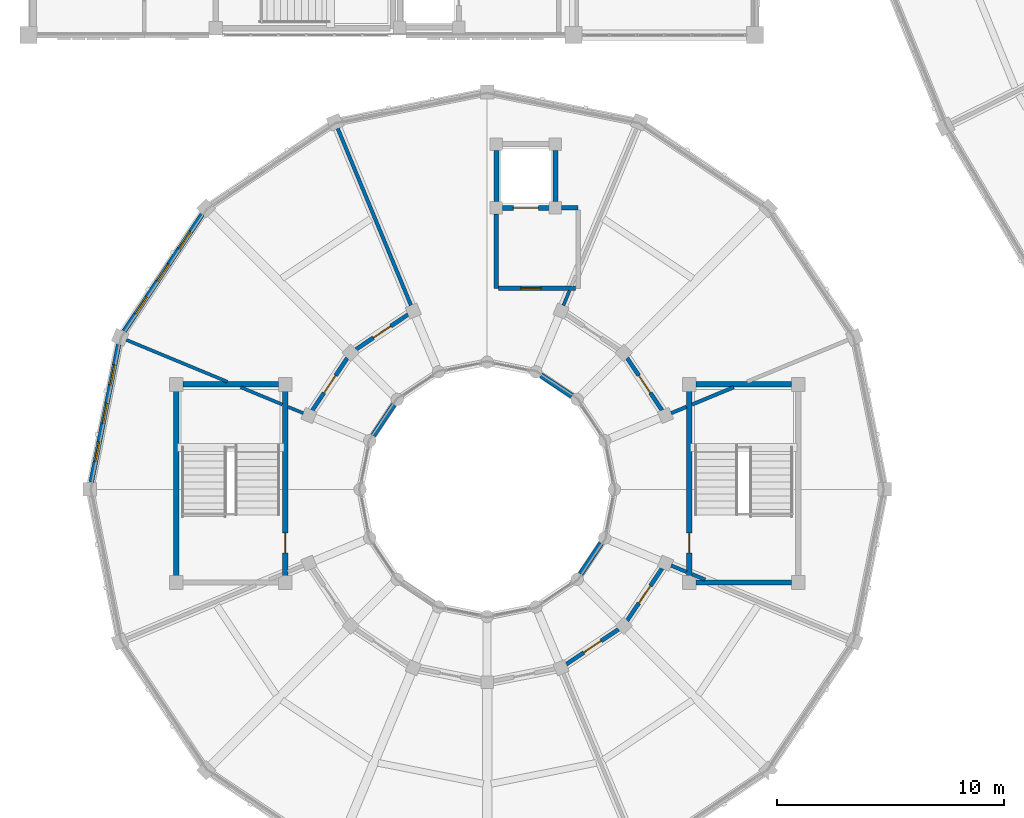
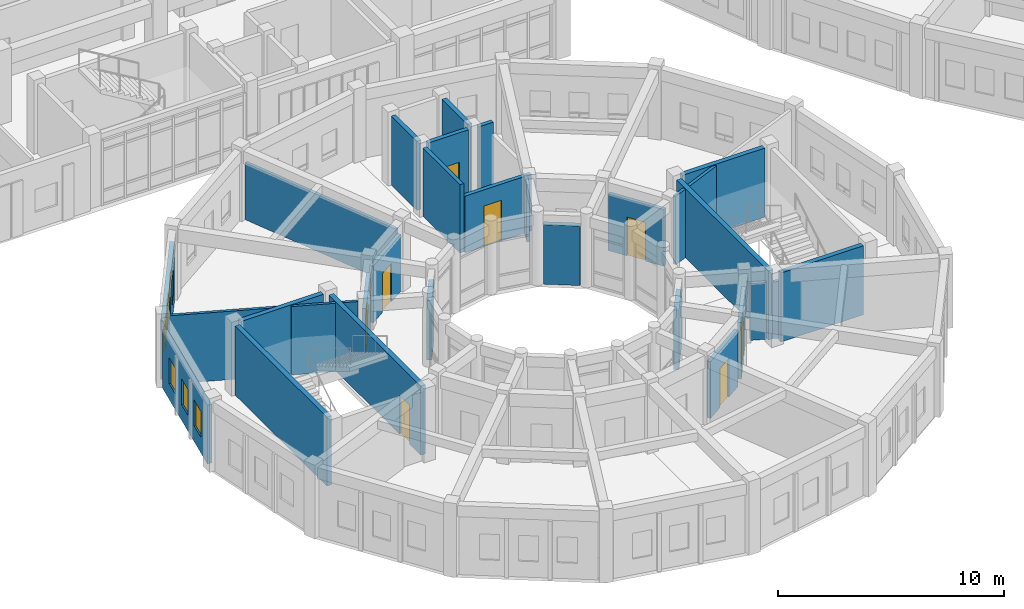
# One storey, part 117 of 159: 31 walls, 9 doors, 6 windows, 15 openings.
"""IFC4 building model written with IfcOpenShell, lengths in metres."""

from ifc_helpers import new_model, si_unit, direction, frame, frame_2d, origin, place, context, subcontext, project, spatial, rectangle, extrude, material, layer, layer_set, type_object, element, fill, save


model = new_model("IFC4")

# Units and contexts
model_context = context("Model", 3, precision=1e-05, world=origin(), true_north=direction((0.0, 1.0)))
body_context = subcontext(model_context, "Body", "Model", "MODEL_VIEW")
ifc_project = project(units=[si_unit("LENGTHUNIT", "METRE"), si_unit("AREAUNIT", "SQUARE_METRE"), si_unit("VOLUMEUNIT", "CUBIC_METRE"), si_unit("PLANEANGLEUNIT", "RADIAN"), si_unit("MASSUNIT", "GRAM", prefix="KILO")], contexts=[model_context])

# Site, building, storey
site_placement = place(None, origin())
site = spatial("IfcSite", under=ifc_project, at=site_placement, CompositionType="ELEMENT")
building_placement = place(site_placement, origin())
building = spatial("IfcBuilding", under=site, at=building_placement, Name="Celadon Cloister-Ring School", CompositionType="ELEMENT")
storey_placement = place(building_placement, frame((0.0, 0.0, 4.5)))
storey = spatial("IfcBuildingStorey", under=building, at=storey_placement, Name="L01", CompositionType="ELEMENT", Elevation=4.5)

# Walls
ifc_material_1 = material(Name="Rendered concrete blockwork", Category="masonry")
ifc_layer_1 = layer(ifc_material_1, 0.239990234375)
ifc_layer_set_1 = layer_set([ifc_layer_1], Name="Rendered concrete blockwork")
wall_type_1 = type_object("IfcWallType", Name="WT-EX3", PredefinedType="SOLIDWALL", material=ifc_layer_set_1)
for number, where, z_axis, x_axis, name in (
    (1, (23.929931640625, 24.114013671875, 0.0), (0.0, 0.0, 1.0), (-0.83165874011, 0.555287078904, 0.0), "Exterior Wall 0314"),
    (2, (16.0859375, 23.72998046875, 0.0), (0.0, 0.0, 1.0), (-0.555287078904, -0.83165874011, 0.0), "Exterior Wall 0319"),
    (3, (24.31396484375, 16.27001953125, 0.0), (0.0, 0.0, 1.0), (0.555287078904, 0.83165874011, 0.0), "Exterior Wall 0329"),
):
    element("IfcWall", number, at=place(storey_placement, frame(where, z_axis=z_axis, x_axis=x_axis)), inside=storey, type_object=wall_type_1, Name=name, PredefinedType="SOLIDWALL", context=body_context, shape_type="SweptSolid", body=[
        extrude(rectangle(XDim=1.631591796875, YDim=0.239990234375, at=frame_2d((0.81591796875, 0.0))), origin(), (0.0, 0.0, 1.0), 3.221923828125),
    ])

# Wall, openings, windows
ifc_material_2 = material(Name="Perforated terracotta clay brick masonry", Category="masonry")
ifc_layer_2 = layer(ifc_material_2, 0.219970703125)
ifc_layer_set_2 = layer_set([ifc_layer_2], Name="Perforated terracotta clay brick masonry")
wall_type_2 = type_object("IfcWallType", Name="WT-EX4", PredefinedType="SOLIDWALL", material=ifc_layer_set_2)
wall_1_placement = place(storey_placement, frame((4.215087890625, 26.970947265625, 0.0), z_axis=(0.0, 0.0, 1.0), x_axis=(0.555658736667, 0.831410469242, 0.0)))
wall_1 = element("IfcWall", 4, at=wall_1_placement, inside=storey, type_object=wall_type_2, Name="Exterior Wall 0318", PredefinedType="SOLIDWALL", context=body_context, shape_type="SweptSolid", body=[
    extrude(rectangle(XDim=6.169189453125, YDim=0.219970703125, at=frame_2d((3.08447265625, 0.0))), origin(), (0.0, 0.0, 1.0), 3.172119140625),
])
opening_1_placement = place(wall_1_placement, frame((0.906982421875, 0.0, 0.85009765625)))
opening_1 = element("IfcOpeningElement", 5, at=opening_1_placement, cuts=wall_1, Name="Opening WN-21", PredefinedType="OPENING", context=body_context, shape_type="SweptSolid", body=[
    extrude(rectangle(XDim=0.89990234375, YDim=1.39990234375, at=frame_2d((0.449951171875, 0.699951171875))), frame((0.0, 0.1201171875, 0.0), z_axis=(0.0, -1.0, 0.0), x_axis=(1.0, 0.0, 0.0)), (0.0, 0.0, 1.0), 0.239990234375),
])
opening_2_placement = place(wall_1_placement, frame((2.635009765625, 0.0, 0.85009765625)))
opening_2 = element("IfcOpeningElement", 6, at=opening_2_placement, cuts=wall_1, Name="Opening WN-21", PredefinedType="OPENING", context=body_context, shape_type="SweptSolid", body=[
    extrude(rectangle(XDim=0.89990234375, YDim=1.39990234375, at=frame_2d((0.449951171875, 0.699951171875))), frame((0.0, 0.1201171875, 0.0), z_axis=(0.0, -1.0, 0.0), x_axis=(1.0, 0.0, 0.0)), (0.0, 0.0, 1.0), 0.239990234375),
])
opening_3_placement = place(wall_1_placement, frame((4.362060546875, 0.0, 0.85009765625)))
opening_3 = element("IfcOpeningElement", 7, at=opening_3_placement, cuts=wall_1, Name="Opening WN-21", PredefinedType="OPENING", context=body_context, shape_type="SweptSolid", body=[
    extrude(rectangle(XDim=0.89990234375, YDim=1.39990234375, at=frame_2d((0.449951171875, 0.699951171875))), frame((0.0, 0.1201171875, 0.0), z_axis=(0.0, -1.0, 0.0), x_axis=(1.0, 0.0, 0.0)), (0.0, 0.0, 1.0), 0.239990234375),
])
ifc_material_3 = material(Name="Tempered laminated insulating glass", Category="glass")
window_type = type_object("IfcWindowType", Name="WN-21", PartitioningType="SINGLE_PANEL", PredefinedType="WINDOW", material=ifc_material_3)
window_1_placement = place(opening_1_placement, origin())
window_1 = element("IfcWindow", 8, at=window_1_placement, inside=storey, type_object=window_type, Name="Window 0821", OverallHeight=1.39990234375, OverallWidth=0.89990234375, PartitioningType="SINGLE_PANEL", PredefinedType="WINDOW", context=body_context, shape_type="SweptSolid", body=[
    extrude(rectangle(XDim=0.89990234375, YDim=1.39990234375, at=frame_2d((0.449951171875, 0.699951171875))), frame((0.0, 0.030029296875, 0.0), z_axis=(0.0, -1.0, 0.0), x_axis=(1.0, 0.0, 0.0)), (0.0, 0.0, 1.0), 0.06005859375),
])
fill(opening_1, window_1)
window_2_placement = place(opening_2_placement, origin())
window_2 = element("IfcWindow", 9, at=window_2_placement, inside=storey, type_object=window_type, Name="Window 0822", OverallHeight=1.39990234375, OverallWidth=0.89990234375, PartitioningType="SINGLE_PANEL", PredefinedType="WINDOW", context=body_context, shape_type="SweptSolid", body=[
    extrude(rectangle(XDim=0.89990234375, YDim=1.39990234375, at=frame_2d((0.449951171875, 0.699951171875))), frame((0.0, 0.030029296875, 0.0), z_axis=(0.0, -1.0, 0.0), x_axis=(1.0, 0.0, 0.0)), (0.0, 0.0, 1.0), 0.06005859375),
])
fill(opening_2, window_2)
window_3_placement = place(opening_3_placement, origin())
window_3 = element("IfcWindow", 10, at=window_3_placement, inside=storey, type_object=window_type, Name="Window 0823", OverallHeight=1.39990234375, OverallWidth=0.89990234375, PartitioningType="SINGLE_PANEL", PredefinedType="WINDOW", context=body_context, shape_type="SweptSolid", body=[
    extrude(rectangle(XDim=0.89990234375, YDim=1.39990234375, at=frame_2d((0.449951171875, 0.699951171875))), frame((0.0, 0.030029296875, 0.0), z_axis=(0.0, -1.0, 0.0), x_axis=(1.0, 0.0, 0.0)), (0.0, 0.0, 1.0), 0.06005859375),
])
fill(opening_3, window_3)

wall_2_placement = place(storey_placement, frame((2.763916015625, 20.322998046875, 0.0), z_axis=(0.0, 0.0, 1.0), x_axis=(0.195164813773, 0.980770460131, 0.0)))
wall_2 = element("IfcWall", 11, at=wall_2_placement, inside=storey, type_object=wall_type_2, Name="Exterior Wall 0320", PredefinedType="SOLIDWALL", context=body_context, shape_type="SweptSolid", body=[
    extrude(rectangle(XDim=6.169677734375, YDim=0.219970703125, at=frame_2d((3.0849609375, 0.0))), origin(), (0.0, 0.0, 1.0), 3.172119140625),
])
opening_4_placement = place(wall_2_placement, frame((0.906982421875, 0.0, 0.85009765625)))
opening_4 = element("IfcOpeningElement", 12, at=opening_4_placement, cuts=wall_2, Name="Opening WN-21", PredefinedType="OPENING", context=body_context, shape_type="SweptSolid", body=[
    extrude(rectangle(XDim=0.89990234375, YDim=1.39990234375, at=frame_2d((0.449951171875, 0.699951171875))), frame((0.0, 0.1201171875, 0.0), z_axis=(0.0, -1.0, 0.0), x_axis=(1.0, 0.0, 0.0)), (0.0, 0.0, 1.0), 0.239990234375),
])
opening_5_placement = place(wall_2_placement, frame((2.635009765625, 0.0, 0.85009765625)))
opening_5 = element("IfcOpeningElement", 13, at=opening_5_placement, cuts=wall_2, Name="Opening WN-21", PredefinedType="OPENING", context=body_context, shape_type="SweptSolid", body=[
    extrude(rectangle(XDim=0.89990234375, YDim=1.39990234375, at=frame_2d((0.449951171875, 0.699951171875))), frame((0.0, 0.1201171875, 0.0), z_axis=(0.0, -1.0, 0.0), x_axis=(1.0, 0.0, 0.0)), (0.0, 0.0, 1.0), 0.239990234375),
])
opening_6_placement = place(wall_2_placement, frame((4.362060546875, 0.0, 0.85009765625)))
opening_6 = element("IfcOpeningElement", 14, at=opening_6_placement, cuts=wall_2, Name="Opening WN-21", PredefinedType="OPENING", context=body_context, shape_type="SweptSolid", body=[
    extrude(rectangle(XDim=0.89990234375, YDim=1.39990234375, at=frame_2d((0.449951171875, 0.699951171875))), frame((0.0, 0.1201171875, 0.0), z_axis=(0.0, -1.0, 0.0), x_axis=(1.0, 0.0, 0.0)), (0.0, 0.0, 1.0), 0.239990234375),
])
window_4_placement = place(opening_4_placement, origin())
window_4 = element("IfcWindow", 15, at=window_4_placement, inside=storey, type_object=window_type, Name="Window 0824", OverallHeight=1.39990234375, OverallWidth=0.89990234375, PartitioningType="SINGLE_PANEL", PredefinedType="WINDOW", context=body_context, shape_type="SweptSolid", body=[
    extrude(rectangle(XDim=0.89990234375, YDim=1.39990234375, at=frame_2d((0.449951171875, 0.699951171875))), frame((0.0, 0.030029296875, 0.0), z_axis=(0.0, -1.0, 0.0), x_axis=(1.0, 0.0, 0.0)), (0.0, 0.0, 1.0), 0.06005859375),
])
fill(opening_4, window_4)
window_5_placement = place(opening_5_placement, origin())
window_5 = element("IfcWindow", 16, at=window_5_placement, inside=storey, type_object=window_type, Name="Window 0825", OverallHeight=1.39990234375, OverallWidth=0.89990234375, PartitioningType="SINGLE_PANEL", PredefinedType="WINDOW", context=body_context, shape_type="SweptSolid", body=[
    extrude(rectangle(XDim=0.89990234375, YDim=1.39990234375, at=frame_2d((0.449951171875, 0.699951171875))), frame((0.0, 0.030029296875, 0.0), z_axis=(0.0, -1.0, 0.0), x_axis=(1.0, 0.0, 0.0)), (0.0, 0.0, 1.0), 0.06005859375),
])
fill(opening_5, window_5)
window_6_placement = place(opening_6_placement, origin())
window_6 = element("IfcWindow", 17, at=window_6_placement, inside=storey, type_object=window_type, Name="Window 0826", OverallHeight=1.39990234375, OverallWidth=0.89990234375, PartitioningType="SINGLE_PANEL", PredefinedType="WINDOW", context=body_context, shape_type="SweptSolid", body=[
    extrude(rectangle(XDim=0.89990234375, YDim=1.39990234375, at=frame_2d((0.449951171875, 0.699951171875))), frame((0.0, 0.030029296875, 0.0), z_axis=(0.0, -1.0, 0.0), x_axis=(1.0, 0.0, 0.0)), (0.0, 0.0, 1.0), 0.06005859375),
])
fill(opening_6, window_6)

# Walls
ifc_material_4 = material(Name="Plastered hollow concrete masonry", Category="masonry")
ifc_layer_3 = layer(ifc_material_4, 0.199951171875)
ifc_layer_set_3 = layer_set([ifc_layer_3], Name="Plastered hollow concrete masonry")
wall_type_3 = type_object("IfcWallType", Name="WT-PT1", PredefinedType="PARTITIONING", material=ifc_layer_set_3)
wall_3_placement = place(storey_placement, frame((23.467041015625, 32.39990234375, 0.0), z_axis=(0.0, 0.0, 1.0), x_axis=(1.0, 0.0, 0.0)))
element("IfcWall", 18, at=wall_3_placement, inside=storey, type_object=wall_type_3, Name="Interior Wall 0379", PredefinedType="PARTITIONING", context=body_context, shape_type="SweptSolid", body=[
    extrude(rectangle(XDim=0.73291015625, YDim=0.199951171875, at=frame_2d((0.366455078125, 0.0))), origin(), (0.0, 0.0, 1.0), 3.699951171875),
])
wall_4_placement = place(storey_placement, frame((20.60009765625, 28.85009765625, 0.0), z_axis=(0.0, 0.0, 1.0), x_axis=(0.0, 1.0, 0.0)))
element("IfcWall", 19, at=wall_4_placement, inside=storey, type_object=wall_type_3, Name="Interior Wall 0380", PredefinedType="PARTITIONING", context=body_context, shape_type="SweptSolid", body=[
    extrude(rectangle(XDim=3.282958984375, YDim=0.199951171875, at=frame_2d((1.6416015625, 0.0))), origin(), (0.0, 0.0, 1.0), 3.699951171875),
])

# Wall, opening, door
wall_5_placement = place(storey_placement, frame((24.096923828125, 28.85009765625, 0.0), z_axis=(0.0, 0.0, 1.0), x_axis=(-1.0, 0.0, 0.0)))
wall_5 = element("IfcWall", 20, at=wall_5_placement, inside=storey, type_object=wall_type_3, Name="Interior Wall 0382", PredefinedType="PARTITIONING", context=body_context, shape_type="SweptSolid", body=[
    extrude(rectangle(XDim=3.39404296875, YDim=0.199951171875, at=frame_2d((1.697021484375, 0.0))), origin(), (0.0, 0.0, 1.0), 3.072021484375),
])
opening_7_placement = place(wall_5_placement, frame((1.51904296875, 0.0, 0.0)))
opening_7 = element("IfcOpeningElement", 21, at=opening_7_placement, cuts=wall_5, Name="Opening D-0106", PredefinedType="OPENING", context=body_context, shape_type="SweptSolid", body=[
    extrude(rectangle(XDim=0.89990234375, YDim=2.199951171875, at=frame_2d((0.449951171875, 1.10009765625))), frame((0.0, 0.10986328125, 0.0), z_axis=(0.0, -1.0, 0.0), x_axis=(1.0, 0.0, 0.0)), (0.0, 0.0, 1.0), 0.219970703125),
])
ifc_material_5 = material(Name="Solid-core fire-rated hardwood leaf", Category="wood")
door_type_1 = type_object("IfcDoorType", Name="DT-06", OperationType="NOTDEFINED", PredefinedType="DOOR", material=ifc_material_5)
door_1_placement = place(opening_7_placement, origin())
door_1 = element("IfcDoor", 22, at=door_1_placement, inside=storey, type_object=door_type_1, Name="Door D-0106", OperationType="SINGLE_SWING_RIGHT", OverallHeight=2.199951171875, OverallWidth=0.89990234375, PredefinedType="DOOR", context=body_context, shape_type="SweptSolid", body=[
    extrude(rectangle(XDim=0.89990234375, YDim=2.199951171875, at=frame_2d((0.449951171875, 1.10009765625))), frame((0.0, 0.02490234375, 0.0), z_axis=(0.0, -1.0, 0.0), x_axis=(1.0, 0.0, 0.0)), (0.0, 0.0, 1.0), 0.050048828125),
])
fill(opening_7, door_1)

ifc_material_6 = material(Name="Plastered hollow concrete masonry", Category="masonry")
ifc_layer_4 = layer(ifc_material_6, 0.179931640625)
ifc_layer_set_4 = layer_set([ifc_layer_4], Name="Plastered hollow concrete masonry")
wall_type_4 = type_object("IfcWallType", Name="WT-PT2", PredefinedType="PARTITIONING", material=ifc_layer_set_4)
wall_6_placement = place(storey_placement, frame((27.902099609375, 23.47900390625, 0.0), z_axis=(0.0, 0.0, 1.0), x_axis=(-0.555797002478, 0.831318045056, 0.0)))
wall_6 = element("IfcWall", 23, at=wall_6_placement, inside=storey, type_object=wall_type_4, Name="Interior Wall 0806", PredefinedType="PARTITIONING", context=body_context, shape_type="SweptSolid", body=[
    extrude(rectangle(XDim=2.772705078125, YDim=0.179931640625, at=frame_2d((1.38623046875, 0.0))), origin(), (0.0, 0.0, 1.0), 3.072021484375),
])
opening_8_placement = place(wall_6_placement, frame((0.926025390625, 0.0, 0.0)))
opening_8 = element("IfcOpeningElement", 24, at=opening_8_placement, cuts=wall_6, Name="Opening D-0290", PredefinedType="OPENING", context=body_context, shape_type="SweptSolid", body=[
    extrude(rectangle(XDim=0.919921875, YDim=2.10009765625, at=frame_2d((0.4599609375, 1.050048828125))), frame((0.0, 0.10009765625, 0.0), z_axis=(0.0, -1.0, 0.0), x_axis=(1.0, 0.0, 0.0)), (0.0, 0.0, 1.0), 0.199951171875),
])
ifc_material_7 = material(Name="Solid-core fire-rated hardwood leaf", Category="wood")
door_type_2 = type_object("IfcDoorType", Name="DT-02", OperationType="NOTDEFINED", PredefinedType="DOOR", material=ifc_material_7)
door_2_placement = place(opening_8_placement, origin())
door_2 = element("IfcDoor", 25, at=door_2_placement, inside=storey, type_object=door_type_2, Name="Door D-0290", OperationType="SINGLE_SWING_RIGHT", OverallHeight=2.10009765625, OverallWidth=0.919921875, PredefinedType="DOOR", context=body_context, shape_type="SweptSolid", body=[
    extrude(rectangle(XDim=0.919921875, YDim=2.10009765625, at=frame_2d((0.4599609375, 1.050048828125))), frame((0.0, 0.02490234375, 0.0), z_axis=(0.0, -1.0, 0.0), x_axis=(1.0, 0.0, 0.0)), (0.0, 0.0, 1.0), 0.050048828125),
])
fill(opening_8, door_2)

wall_7_placement = place(storey_placement, frame((16.720947265625, 27.701904296875, 0.0), z_axis=(0.0, 0.0, 1.0), x_axis=(-0.831318045056, -0.555797002478, 0.0)))
wall_7 = element("IfcWall", 26, at=wall_7_placement, inside=storey, type_object=wall_type_4, Name="Interior Wall 0808", PredefinedType="PARTITIONING", context=body_context, shape_type="SweptSolid", body=[
    extrude(rectangle(XDim=2.772705078125, YDim=0.179931640625, at=frame_2d((1.38623046875, 0.0))), origin(), (0.0, 0.0, 1.0), 3.072021484375),
])
opening_9_placement = place(wall_7_placement, frame((0.926025390625, 0.0, 0.0)))
opening_9 = element("IfcOpeningElement", 27, at=opening_9_placement, cuts=wall_7, Name="Opening D-0292", PredefinedType="OPENING", context=body_context, shape_type="SweptSolid", body=[
    extrude(rectangle(XDim=0.919921875, YDim=2.10009765625, at=frame_2d((0.4599609375, 1.050048828125))), frame((0.0, 0.10009765625, 0.0), z_axis=(0.0, -1.0, 0.0), x_axis=(1.0, 0.0, 0.0)), (0.0, 0.0, 1.0), 0.199951171875),
])
door_3_placement = place(opening_9_placement, origin())
door_3 = element("IfcDoor", 28, at=door_3_placement, inside=storey, type_object=door_type_2, Name="Door D-0292", OperationType="SINGLE_SWING_RIGHT", OverallHeight=2.10009765625, OverallWidth=0.919921875, PredefinedType="DOOR", context=body_context, shape_type="SweptSolid", body=[
    extrude(rectangle(XDim=0.919921875, YDim=2.10009765625, at=frame_2d((0.4599609375, 1.050048828125))), frame((0.0, 0.02490234375, 0.0), z_axis=(0.0, -1.0, 0.0), x_axis=(1.0, 0.0, 0.0)), (0.0, 0.0, 1.0), 0.050048828125),
])
fill(opening_9, door_3)

wall_8_placement = place(storey_placement, frame((14.0390625, 25.783935546875, 0.0), z_axis=(0.0, 0.0, 1.0), x_axis=(-0.555797002478, -0.831318045056, 0.0)))
wall_8 = element("IfcWall", 29, at=wall_8_placement, inside=storey, type_object=wall_type_4, Name="Interior Wall 0809", PredefinedType="PARTITIONING", context=body_context, shape_type="SweptSolid", body=[
    extrude(rectangle(XDim=2.772705078125, YDim=0.179931640625, at=frame_2d((1.38623046875, 0.0))), origin(), (0.0, 0.0, 1.0), 3.072021484375),
])
opening_10_placement = place(wall_8_placement, frame((0.926025390625, 0.0, 0.0)))
opening_10 = element("IfcOpeningElement", 30, at=opening_10_placement, cuts=wall_8, Name="Opening D-0293", PredefinedType="OPENING", context=body_context, shape_type="SweptSolid", body=[
    extrude(rectangle(XDim=0.919921875, YDim=2.10009765625, at=frame_2d((0.4599609375, 1.050048828125))), frame((0.0, 0.10009765625, 0.0), z_axis=(0.0, -1.0, 0.0), x_axis=(1.0, 0.0, 0.0)), (0.0, 0.0, 1.0), 0.199951171875),
])
door_4_placement = place(opening_10_placement, origin())
door_4 = element("IfcDoor", 31, at=door_4_placement, inside=storey, type_object=door_type_2, Name="Door D-0293", OperationType="SINGLE_SWING_LEFT", OverallHeight=2.10009765625, OverallWidth=0.919921875, PredefinedType="DOOR", context=body_context, shape_type="SweptSolid", body=[
    extrude(rectangle(XDim=0.919921875, YDim=2.10009765625, at=frame_2d((0.4599609375, 1.050048828125))), frame((0.0, 0.02490234375, 0.0), z_axis=(0.0, -1.0, 0.0), x_axis=(1.0, 0.0, 0.0)), (0.0, 0.0, 1.0), 0.050048828125),
])
fill(opening_10, door_4)

wall_9_placement = place(storey_placement, frame((23.678955078125, 12.298095703125, 0.0), z_axis=(0.0, 0.0, 1.0), x_axis=(0.831318045056, 0.555797002478, 0.0)))
wall_9 = element("IfcWall", 32, at=wall_9_placement, inside=storey, type_object=wall_type_4, Name="Interior Wall 0814", PredefinedType="PARTITIONING", context=body_context, shape_type="SweptSolid", body=[
    extrude(rectangle(XDim=2.772705078125, YDim=0.179931640625, at=frame_2d((1.38623046875, 0.0))), origin(), (0.0, 0.0, 1.0), 3.072021484375),
])
opening_11_placement = place(wall_9_placement, frame((0.926025390625, 0.0, 0.0)))
opening_11 = element("IfcOpeningElement", 33, at=opening_11_placement, cuts=wall_9, Name="Opening D-0298", PredefinedType="OPENING", context=body_context, shape_type="SweptSolid", body=[
    extrude(rectangle(XDim=0.919921875, YDim=2.10009765625, at=frame_2d((0.4599609375, 1.050048828125))), frame((0.0, 0.10009765625, 0.0), z_axis=(0.0, -1.0, 0.0), x_axis=(1.0, 0.0, 0.0)), (0.0, 0.0, 1.0), 0.199951171875),
])
door_5_placement = place(opening_11_placement, origin())
door_5 = element("IfcDoor", 34, at=door_5_placement, inside=storey, type_object=door_type_2, Name="Door D-0298", OperationType="SINGLE_SWING_RIGHT", OverallHeight=2.10009765625, OverallWidth=0.919921875, PredefinedType="DOOR", context=body_context, shape_type="SweptSolid", body=[
    extrude(rectangle(XDim=0.919921875, YDim=2.10009765625, at=frame_2d((0.4599609375, 1.050048828125))), frame((0.0, 0.02490234375, 0.0), z_axis=(0.0, -1.0, 0.0), x_axis=(1.0, 0.0, 0.0)), (0.0, 0.0, 1.0), 0.050048828125),
])
fill(opening_11, door_5)

wall_10_placement = place(storey_placement, frame((26.361083984375, 14.216064453125, 0.0), z_axis=(0.0, 0.0, 1.0), x_axis=(0.555797002478, 0.831318045056, 0.0)))
wall_10 = element("IfcWall", 35, at=wall_10_placement, inside=storey, type_object=wall_type_4, Name="Interior Wall 0815", PredefinedType="PARTITIONING", context=body_context, shape_type="SweptSolid", body=[
    extrude(rectangle(XDim=2.772705078125, YDim=0.179931640625, at=frame_2d((1.38623046875, 0.0))), origin(), (0.0, 0.0, 1.0), 3.072021484375),
])
opening_12_placement = place(wall_10_placement, frame((0.926025390625, 0.0, 0.0)))
opening_12 = element("IfcOpeningElement", 36, at=opening_12_placement, cuts=wall_10, Name="Opening D-0299", PredefinedType="OPENING", context=body_context, shape_type="SweptSolid", body=[
    extrude(rectangle(XDim=0.919921875, YDim=2.10009765625, at=frame_2d((0.4599609375, 1.050048828125))), frame((0.0, 0.10009765625, 0.0), z_axis=(0.0, -1.0, 0.0), x_axis=(1.0, 0.0, 0.0)), (0.0, 0.0, 1.0), 0.199951171875),
])
door_6_placement = place(opening_12_placement, origin())
door_6 = element("IfcDoor", 37, at=door_6_placement, inside=storey, type_object=door_type_2, Name="Door D-0299", OperationType="SINGLE_SWING_LEFT", OverallHeight=2.10009765625, OverallWidth=0.919921875, PredefinedType="DOOR", context=body_context, shape_type="SweptSolid", body=[
    extrude(rectangle(XDim=0.919921875, YDim=2.10009765625, at=frame_2d((0.4599609375, 1.050048828125))), frame((0.0, 0.02490234375, 0.0), z_axis=(0.0, -1.0, 0.0), x_axis=(1.0, 0.0, 0.0)), (0.0, 0.0, 1.0), 0.050048828125),
])
fill(opening_12, door_6)

# Walls
ifc_material_8 = material(Name="Plastered hollow concrete masonry", Category="masonry")
ifc_layer_5 = layer(ifc_material_8, 0.159912109375)
ifc_layer_set_5 = layer_set([ifc_layer_5], Name="Plastered hollow concrete masonry")
wall_type_5 = type_object("IfcWallType", Name="WT-PT3", PredefinedType="PARTITIONING", material=ifc_layer_set_5)
wall_11_placement = place(storey_placement, frame((28.300048828125, 23.35498046875, 0.0), z_axis=(0.0, 0.0, 1.0), x_axis=(0.924069600435, 0.382224245113, 0.0)))
element("IfcWall", 38, at=wall_11_placement, inside=storey, type_object=wall_type_5, Name="Interior Wall 0789", PredefinedType="PARTITIONING", context=body_context, shape_type="SweptSolid", body=[
    extrude(rectangle(XDim=0.732666015625, YDim=0.159912109375, at=frame_2d((0.3662109375, 0.0))), origin(), (0.0, 0.0, 1.0), 3.699951171875),
])
wall_12_placement = place(storey_placement, frame((29.222900390625, 23.737060546875, 0.0), z_axis=(0.0, 0.0, 1.0), x_axis=(0.923817443679, 0.382833293686, 0.0)))
element("IfcWall", 39, at=wall_12_placement, inside=storey, type_object=wall_type_5, Name="Interior Wall 0790", PredefinedType="PARTITIONING", context=body_context, shape_type="SweptSolid", body=[
    extrude(rectangle(XDim=1.985107421875, YDim=0.159912109375, at=frame_2d((0.99267578125, 0.0))), origin(), (0.0, 0.0, 1.0), 3.699951171875),
])
wall_13_placement = place(storey_placement, frame((16.844970703125, 28.10009765625, 0.0), z_axis=(0.0, 0.0, 1.0), x_axis=(-0.382683896966, 0.923879340067, 0.0)))
element("IfcWall", 40, at=wall_13_placement, inside=storey, type_object=wall_type_5, Name="Interior Wall 0795", PredefinedType="PARTITIONING", context=body_context, shape_type="SweptSolid", body=[
    extrude(rectangle(XDim=8.4404296875, YDim=0.159912109375, at=frame_2d((4.22021484375, 0.0))), origin(), (0.0, 0.0, 1.0), 3.072021484375),
])
wall_14_placement = place(storey_placement, frame((28.300048828125, 16.64501953125, 0.0), z_axis=(0.0, 0.0, 1.0), x_axis=(0.924069600435, -0.382224245113, 0.0)))
element("IfcWall", 41, at=wall_14_placement, inside=storey, type_object=wall_type_5, Name="Interior Wall 0803", PredefinedType="PARTITIONING", context=body_context, shape_type="SweptSolid", body=[
    extrude(rectangle(XDim=0.732666015625, YDim=0.159912109375, at=frame_2d((0.3662109375, 0.0))), origin(), (0.0, 0.0, 1.0), 3.072021484375),
])
wall_15_placement = place(storey_placement, frame((29.222900390625, 16.262939453125, 0.0), z_axis=(0.0, 0.0, 1.0), x_axis=(0.923812676193, -0.382844797933, 0.0)))
element("IfcWall", 42, at=wall_15_placement, inside=storey, type_object=wall_type_5, Name="Interior Wall 0804", PredefinedType="PARTITIONING", context=body_context, shape_type="SweptSolid", body=[
    extrude(rectangle(XDim=0.626953125, YDim=0.159912109375, at=frame_2d((0.3134765625, 0.0))), origin(), (0.0, 0.0, 1.0), 3.072021484375),
])
ifc_material_9 = material(Name="Acoustic mineral-wool drywall partition")
ifc_layer_6 = layer(ifc_material_9, 0.139892578125)
ifc_layer_set_6 = layer_set([ifc_layer_6], Name="Acoustic mineral-wool drywall partition")
wall_type_6 = type_object("IfcWallType", Name="WT-PT4", PredefinedType="PARTITIONING", material=ifc_layer_set_6)
wall_16_placement = place(storey_placement, frame((23.554931640625, 28.10009765625, 0.0), z_axis=(0.0, 0.0, 1.0), x_axis=(0.38278283439, 0.923838352579, 0.0)))
element("IfcWall", 43, at=wall_16_placement, inside=storey, type_object=wall_type_6, Name="Interior Wall 0792", PredefinedType="PARTITIONING", context=body_context, shape_type="SweptSolid", body=[
    extrude(rectangle(XDim=0.7001953125, YDim=0.139892578125, at=frame_2d((0.35009765625, 0.0))), origin(), (0.0, 0.0, 1.0), 3.072021484375),
])
wall_17_placement = place(storey_placement, frame((12.10009765625, 23.35498046875, 0.0), z_axis=(0.0, 0.0, 1.0), x_axis=(-0.924069600435, 0.382224245113, 0.0)))
element("IfcWall", 44, at=wall_17_placement, inside=storey, type_object=wall_type_6, Name="Interior Wall 0796", PredefinedType="PARTITIONING", context=body_context, shape_type="SweptSolid", body=[
    extrude(rectangle(XDim=0.732666015625, YDim=0.139892578125, at=frame_2d((0.3662109375, 0.0))), origin(), (0.0, 0.0, 1.0), 3.699951171875),
])
wall_18_placement = place(storey_placement, frame((11.177001953125, 23.737060546875, 0.0), z_axis=(0.0, 0.0, 1.0), x_axis=(-0.923817443679, 0.382833293686, 0.0)))
element("IfcWall", 45, at=wall_18_placement, inside=storey, type_object=wall_type_6, Name="Interior Wall 0797", PredefinedType="PARTITIONING", context=body_context, shape_type="SweptSolid", body=[
    extrude(rectangle(XDim=1.985107421875, YDim=0.139892578125, at=frame_2d((0.99267578125, 0.0))), origin(), (0.0, 0.0, 1.0), 3.699951171875),
])
wall_19_placement = place(storey_placement, frame((8.7490234375, 24.742919921875, 0.0), z_axis=(0.0, 0.0, 1.0), x_axis=(-0.923877739946, 0.382687759972, 0.0)))
element("IfcWall", 46, at=wall_19_placement, inside=storey, type_object=wall_type_6, Name="Interior Wall 0798", PredefinedType="PARTITIONING", context=body_context, shape_type="SweptSolid", body=[
    extrude(rectangle(XDim=4.8134765625, YDim=0.139892578125, at=frame_2d((2.40673828125, 0.0))), origin(), (0.0, 0.0, 1.0), 3.699951171875),
])
ifc_material_10 = material(Name="Concrete C40/50", Category="concrete")
ifc_layer_7 = layer(ifc_material_10, 0.239990234375)
ifc_layer_set_7 = layer_set([ifc_layer_7], Name="Concrete C40/50")
wall_type_7 = type_object("IfcWallType", Name="WT-SH1", PredefinedType="SHEAR", material=ifc_layer_set_7)
wall_20_placement = place(storey_placement, frame((6.5, 16.19189453125, 0.0), z_axis=(0.0, 0.0, 1.0), x_axis=(0.0, 1.0, 0.0)))
element("IfcWall", 47, at=wall_20_placement, inside=storey, type_object=wall_type_7, Name="Interior Wall 0053", PredefinedType="SHEAR", context=body_context, shape_type="SweptSolid", body=[
    extrude(rectangle(XDim=8.135986328125, YDim=0.239990234375, at=frame_2d((4.06787109375, 0.0))), origin(), (0.0, 0.0, 1.0), 3.739990234375),
])

# Wall, opening, door
wall_21_placement = place(storey_placement, frame((11.300048828125, 24.327880859375, 0.0), z_axis=(0.0, 0.0, 1.0), x_axis=(0.0, -1.0, 0.0)))
wall_21 = element("IfcWall", 48, at=wall_21_placement, inside=storey, type_object=wall_type_7, Name="Interior Wall 0054", PredefinedType="SHEAR", context=body_context, shape_type="SweptSolid", body=[
    extrude(rectangle(XDim=8.135986328125, YDim=0.239990234375, at=frame_2d((4.06787109375, 0.0))), origin(), (0.0, 0.0, 1.0), 3.739990234375),
])
opening_13_placement = place(wall_21_placement, frame((6.243896484375, 0.0, 0.0)))
opening_13 = element("IfcOpeningElement", 49, at=opening_13_placement, cuts=wall_21, Name="Opening D-0046", PredefinedType="OPENING", context=body_context, shape_type="SweptSolid", body=[
    extrude(rectangle(XDim=0.8798828125, YDim=2.10009765625, at=frame_2d((0.43994140625, 1.050048828125))), frame((0.0, 0.1298828125, 0.0), z_axis=(0.0, -1.0, 0.0), x_axis=(1.0, 0.0, 0.0)), (0.0, 0.0, 1.0), 0.260009765625),
])
ifc_material_11 = material(Name="Solid-core fire-rated hardwood leaf", Category="wood")
door_type_3 = type_object("IfcDoorType", Name="DT-01", OperationType="NOTDEFINED", PredefinedType="DOOR", material=ifc_material_11)
door_7_placement = place(opening_13_placement, origin())
door_7 = element("IfcDoor", 50, at=door_7_placement, inside=storey, type_object=door_type_3, Name="Door D-0046", OperationType="SINGLE_SWING_RIGHT", OverallHeight=2.10009765625, OverallWidth=0.8798828125, PredefinedType="DOOR", context=body_context, shape_type="SweptSolid", body=[
    extrude(rectangle(XDim=0.8798828125, YDim=2.10009765625, at=frame_2d((0.43994140625, 1.050048828125))), frame((0.0, 0.02490234375, 0.0), z_axis=(0.0, -1.0, 0.0), x_axis=(1.0, 0.0, 0.0)), (0.0, 0.0, 1.0), 0.050048828125),
])
fill(opening_13, door_7)

# Wall
wall_22_placement = place(storey_placement, frame((11.008056640625, 24.6201171875, 0.0), z_axis=(0.0, 0.0, 1.0), x_axis=(-1.0, 0.0, 0.0)))
element("IfcWall", 51, at=wall_22_placement, inside=storey, type_object=wall_type_7, Name="Interior Wall 0056", PredefinedType="SHEAR", context=body_context, shape_type="SweptSolid", body=[
    extrude(rectangle(XDim=4.216064453125, YDim=0.239990234375, at=frame_2d((2.10791015625, 0.0))), origin(), (0.0, 0.0, 1.0), 3.739990234375),
])

# Wall, opening, door
wall_23_placement = place(storey_placement, frame((29.10009765625, 16.19189453125, 0.0), z_axis=(0.0, 0.0, 1.0), x_axis=(0.0, 1.0, 0.0)))
wall_23 = element("IfcWall", 52, at=wall_23_placement, inside=storey, type_object=wall_type_7, Name="Interior Wall 0069", PredefinedType="SHEAR", context=body_context, shape_type="SweptSolid", body=[
    extrude(rectangle(XDim=8.135986328125, YDim=0.239990234375, at=frame_2d((4.06787109375, 0.0))), origin(), (0.0, 0.0, 1.0), 3.739990234375),
])
opening_14_placement = place(wall_23_placement, frame((1.011962890625, 0.0, 0.0)))
opening_14 = element("IfcOpeningElement", 53, at=opening_14_placement, cuts=wall_23, Name="Opening D-0050", PredefinedType="OPENING", context=body_context, shape_type="SweptSolid", body=[
    extrude(rectangle(XDim=0.8798828125, YDim=2.10009765625, at=frame_2d((0.43994140625, 1.050048828125))), frame((0.0, 0.1298828125, 0.0), z_axis=(0.0, -1.0, 0.0), x_axis=(1.0, 0.0, 0.0)), (0.0, 0.0, 1.0), 0.260009765625),
])
door_8_placement = place(opening_14_placement, origin())
door_8 = element("IfcDoor", 54, at=door_8_placement, inside=storey, type_object=door_type_3, Name="Door D-0050", OperationType="SINGLE_SWING_RIGHT", OverallHeight=2.10009765625, OverallWidth=0.8798828125, PredefinedType="DOOR", context=body_context, shape_type="SweptSolid", body=[
    extrude(rectangle(XDim=0.8798828125, YDim=2.10009765625, at=frame_2d((0.43994140625, 1.050048828125))), frame((0.0, 0.02490234375, 0.0), z_axis=(0.0, -1.0, 0.0), x_axis=(1.0, 0.0, 0.0)), (0.0, 0.0, 1.0), 0.050048828125),
])
fill(opening_14, door_8)

# Walls
for number, where, z_axis, x_axis, name in (
    (55, (33.60791015625, 15.89990234375, 0.0), (0.0, 0.0, 1.0), (-1.0, 0.0, 0.0), "Interior Wall 0071"),
    (56, (33.60791015625, 24.6201171875, 0.0), (0.0, 0.0, 1.0), (-1.0, 0.0, 0.0), "Interior Wall 0072"),
):
    element("IfcWall", number, at=place(storey_placement, frame(where, z_axis=z_axis, x_axis=x_axis)), inside=storey, type_object=wall_type_7, Name=name, PredefinedType="SHEAR", context=body_context, shape_type="SweptSolid", body=[
        extrude(rectangle(XDim=4.2158203125, YDim=0.239990234375, at=frame_2d((2.10791015625, 0.0))), origin(), (0.0, 0.0, 1.0), 3.739990234375),
    ])

# Wall, opening, door
ifc_material_12 = material(Name="Concrete C40/50", Category="concrete")
ifc_layer_8 = layer(ifc_material_12, 0.219970703125)
ifc_layer_set_8 = layer_set([ifc_layer_8], Name="Concrete C40/50")
wall_type_8 = type_object("IfcWallType", Name="WT-SH2", PredefinedType="SHEAR", material=ifc_layer_set_8)
wall_24_placement = place(storey_placement, frame((20.866943359375, 32.39990234375, 0.0), z_axis=(0.0, 0.0, 1.0), x_axis=(1.0, 0.0, 0.0)))
wall_24 = element("IfcWall", 57, at=wall_24_placement, inside=storey, type_object=wall_type_8, Name="Interior Wall 0375", PredefinedType="SHEAR", context=body_context, shape_type="SweptSolid", body=[
    extrude(rectangle(XDim=2.066162109375, YDim=0.219970703125, at=frame_2d((1.033203125, 0.0))), origin(), (0.0, 0.0, 1.0), 3.739990234375),
])
opening_15_placement = place(wall_24_placement, frame((0.48291015625, 0.0, 0.0)))
opening_15 = element("IfcOpeningElement", 58, at=opening_15_placement, cuts=wall_24, Name="Opening LD-022", PredefinedType="OPENING", context=body_context, shape_type="SweptSolid", body=[
    extrude(rectangle(XDim=1.10009765625, YDim=2.14990234375, at=frame_2d((0.550048828125, 1.074951171875))), frame((0.0, 0.1201171875, 0.0), z_axis=(0.0, -1.0, 0.0), x_axis=(1.0, 0.0, 0.0)), (0.0, 0.0, 1.0), 0.239990234375),
])
ifc_material_13 = material(Name="Galvanised fire-rated hollow steel leaf", Category="steel")
door_type_4 = type_object("IfcDoorType", Name="DT-LD1", OperationType="DOUBLE_DOOR_SLIDING", PredefinedType="DOOR", material=ifc_material_13)
door_9_placement = place(opening_15_placement, origin())
door_9 = element("IfcDoor", 59, at=door_9_placement, inside=storey, type_object=door_type_4, Name="Door LD-022", OperationType="DOUBLE_DOOR_SLIDING", OverallHeight=2.14990234375, OverallWidth=1.10009765625, PredefinedType="DOOR", context=body_context, shape_type="SweptSolid", body=[
    extrude(rectangle(XDim=1.10009765625, YDim=2.14990234375, at=frame_2d((0.550048828125, 1.074951171875))), frame((0.0, 0.02490234375, 0.0), z_axis=(0.0, -1.0, 0.0), x_axis=(1.0, 0.0, 0.0)), (0.0, 0.0, 1.0), 0.050048828125),
])
fill(opening_15, door_9)

# Walls
for number, where, z_axis, x_axis, name in (
    (60, (23.199951171875, 32.6669921875, 0.0), (0.0, 0.0, 1.0), (0.0, 1.0, 0.0), "Interior Wall 0376"),
    (61, (20.60009765625, 34.93310546875, 0.0), (0.0, 0.0, 1.0), (0.0, -1.0, 0.0), "Interior Wall 0378"),
):
    element("IfcWall", number, at=place(storey_placement, frame(where, z_axis=z_axis, x_axis=x_axis)), inside=storey, type_object=wall_type_8, Name=name, PredefinedType="SHEAR", context=body_context, shape_type="SweptSolid", body=[
        extrude(rectangle(XDim=2.26611328125, YDim=0.219970703125, at=frame_2d((1.133056640625, 0.0))), origin(), (0.0, 0.0, 1.0), 3.739990234375),
    ])

save(model, "model.ifc")
